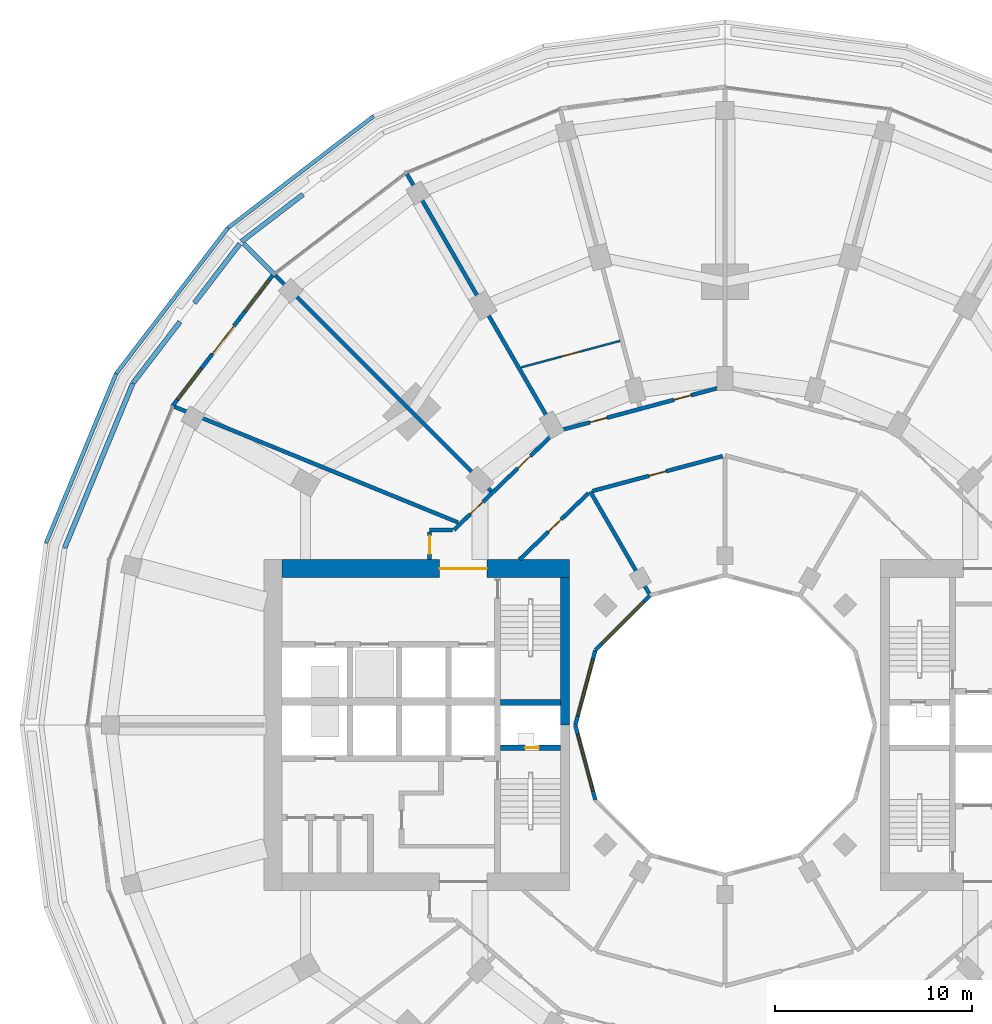
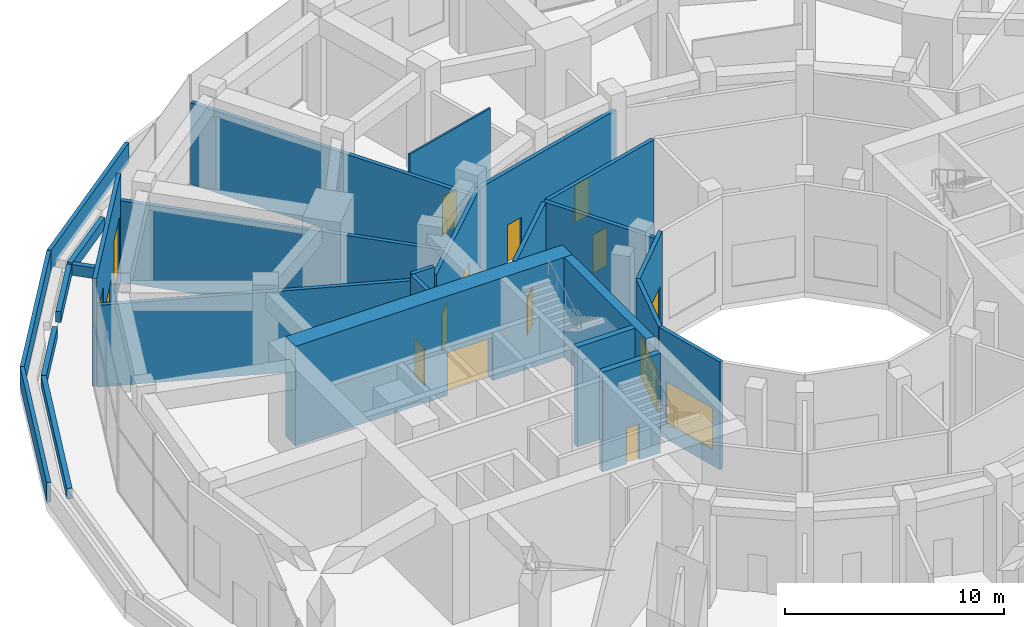
# One storey, part 18 of 23: 27 walls, 11 doors, 5 windows, 16 openings.
"""IFC4 building model written with IfcOpenShell, lengths in metres."""

from ifc_helpers import new_model, si_unit, direction, frame, frame_2d, origin, place, context, subcontext, project, spatial, rectangle, extrude, material, layer, layer_set, type_object, element, fill, save


model = new_model("IFC4")

# Units and contexts
model_context = context("Model", 3, precision=1e-05, world=origin(), true_north=direction((0.0, 1.0)))
body_context = subcontext(model_context, "Body", "Model", "MODEL_VIEW")
ifc_project = project(units=[si_unit("LENGTHUNIT", "METRE"), si_unit("AREAUNIT", "SQUARE_METRE"), si_unit("VOLUMEUNIT", "CUBIC_METRE"), si_unit("PLANEANGLEUNIT", "RADIAN"), si_unit("MASSUNIT", "GRAM", prefix="KILO")], contexts=[model_context])

# Site, building, storey
site_placement = place(None, origin())
site = spatial("IfcSite", under=ifc_project, at=site_placement, CompositionType="ELEMENT")
building_placement = place(site_placement, origin())
building = spatial("IfcBuilding", under=site, at=building_placement, Name="Torre Brocal", CompositionType="ELEMENT")
storey_placement = place(building_placement, frame((0.0, 0.0, 17.800048828125)))
storey = spatial("IfcBuildingStorey", under=building, at=storey_placement, Name="L03", CompositionType="ELEMENT", Elevation=17.800048828125)

# Wall, opening, door
ifc_material_1 = material(Name="Concrete C80", Category="concrete")
ifc_layer_1 = layer(ifc_material_1, 0.300048828125)
ifc_layer_set_1 = layer_set([ifc_layer_1], Name="Concrete C80")
wall_type_1 = type_object("IfcWallType", Name="CORE WALL 300 C80 UNDER 450 SLAB", PredefinedType="SHEAR", material=ifc_layer_set_1)
wall_1_placement = place(storey_placement, frame((71.64990234375, 73.85009765625, 0.0), z_axis=(0.0, 0.0, 1.0), x_axis=(-1.0, 0.0, 0.0)))
wall_1 = element("IfcWall", 1, at=wall_1_placement, inside=storey, type_object=wall_type_1, Name="Wall CW300-80-S450", PredefinedType="SHEAR", context=body_context, shape_type="SweptSolid", body=[
    extrude(rectangle(XDim=3.0498046875, YDim=0.300048828125, at=frame_2d((1.52490234375, 0.0))), origin(), (0.0, 0.0, 1.0), 5.550048828125),
])
opening_1_placement = place(wall_1_placement, frame((1.10009765625, 0.0, 0.0)))
opening_1 = element("IfcOpeningElement", 2, at=opening_1_placement, cuts=wall_1, Name="Opening W-D01", PredefinedType="OPENING", context=body_context, shape_type="SweptSolid", body=[
    extrude(rectangle(XDim=0.699951171875, YDim=2.0, at=frame_2d((0.35009765625, 1.0))), frame((0.0, 0.159912109375, 0.0), z_axis=(0.0, -1.0, 0.0), x_axis=(1.0, 0.0, 0.0)), (0.0, 0.0, 1.0), 0.320068359375),
])
ifc_material_2 = material(Name="Steel A653", Category="steel")
door_type_1 = type_object("IfcDoorType", Name="RISER DOOR FD120 700X2000", OperationType="SINGLE_SWING_LEFT", PredefinedType="DOOR", material=ifc_material_2)
door_1_placement = place(opening_1_placement, frame((0.699951171875, 0.0, 0.0), z_axis=(0.0, 0.0, 1.0), x_axis=(-1.0, 0.0, 0.0)))
door_1 = element("IfcDoor", 3, at=door_1_placement, inside=storey, type_object=door_type_1, Name="Door W-D01", OperationType="SINGLE_SWING_RIGHT", OverallHeight=2.0, OverallWidth=0.699951171875, PredefinedType="DOOR", context=body_context, shape_type="SweptSolid", body=[
    extrude(rectangle(XDim=0.699951171875, YDim=2.0, at=frame_2d((0.35009765625, 1.0))), frame((0.0, 0.02490234375, 0.0), z_axis=(0.0, -1.0, 0.0), x_axis=(1.0, 0.0, 0.0)), (0.0, 0.0, 1.0), 0.050048828125),
])
fill(opening_1, door_1)

# Walls
wall_2_placement = place(storey_placement, frame((71.64990234375, 76.14990234375, 0.0), z_axis=(0.0, 0.0, 1.0), x_axis=(-1.0, 0.0, 0.0)))
element("IfcWall", 4, at=wall_2_placement, inside=storey, type_object=wall_type_1, Name="Wall CW300-80-S450", PredefinedType="SHEAR", context=body_context, shape_type="SweptSolid", body=[
    extrude(rectangle(XDim=3.0498046875, YDim=0.300048828125, at=frame_2d((1.52490234375, 0.0))), origin(), (0.0, 0.0, 1.0), 5.550048828125),
])
ifc_material_3 = material(Name="Concrete C80", Category="concrete")
ifc_layer_2 = layer(ifc_material_3, 0.449951171875)
ifc_layer_set_2 = layer_set([ifc_layer_2], Name="Concrete C80")
wall_type_2 = type_object("IfcWallType", Name="CORE WALL 450 C80 UNDER 450 SLAB", PredefinedType="SHEAR", material=ifc_layer_set_2)
wall_3_placement = place(storey_placement, frame((71.875, 82.5, 0.0), z_axis=(0.0, 0.0, 1.0), x_axis=(0.0, -1.0, 0.0)))
element("IfcWall", 5, at=wall_3_placement, inside=storey, type_object=wall_type_2, Name="Wall CW450-80-S450", PredefinedType="SHEAR", context=body_context, shape_type="SweptSolid", body=[
    extrude(rectangle(XDim=7.5, YDim=0.449951171875, at=frame_2d((3.75, 0.0))), origin(), (0.0, 0.0, 1.0), 5.550048828125),
])

# Wall, opening, door
ifc_material_4 = material(Name="Concrete C80", Category="concrete")
ifc_layer_3 = layer(ifc_material_4, 0.89990234375)
ifc_layer_set_3 = layer_set([ifc_layer_3], Name="Concrete C80")
wall_type_3 = type_object("IfcWallType", Name="CORE WALL 900 C80 UNDER 450 SLAB", PredefinedType="SHEAR", material=ifc_layer_set_3)
wall_4_placement = place(storey_placement, frame((72.10009765625, 82.949951171875, 0.0), z_axis=(0.0, 0.0, 1.0), x_axis=(-1.0, 0.0, 0.0)))
wall_4 = element("IfcWall", 6, at=wall_4_placement, inside=storey, type_object=wall_type_3, Name="Wall CW900-80-S450", PredefinedType="SHEAR", context=body_context, shape_type="SweptSolid", body=[
    extrude(rectangle(XDim=14.60009765625, YDim=0.89990234375, at=frame_2d((7.300048828125, 0.0))), origin(), (0.0, 0.0, 1.0), 5.550048828125),
])
opening_2_placement = place(wall_4_placement, frame((4.199951171875, 0.0, 0.0)))
opening_2 = element("IfcOpeningElement", 7, at=opening_2_placement, cuts=wall_4, Name="Opening W-D30", PredefinedType="OPENING", context=body_context, shape_type="SweptSolid", body=[
    extrude(rectangle(XDim=2.39990234375, YDim=2.39990234375, at=frame_2d((1.199951171875, 1.199951171875))), frame((0.0, 0.4599609375, 0.0), z_axis=(0.0, -1.0, 0.0), x_axis=(1.0, 0.0, 0.0)), (0.0, 0.0, 1.0), 0.919921875),
])
ifc_material_5 = material(Name="Steel A653", Category="steel")
door_type_2 = type_object("IfcDoorType", Name="DOUBLE FIRE DOOR FD90 2400X2400", OperationType="DOUBLE_DOOR_SINGLE_SWING", PredefinedType="DOOR", material=ifc_material_5)
door_2_placement = place(opening_2_placement, origin())
door_2 = element("IfcDoor", 8, at=door_2_placement, inside=storey, type_object=door_type_2, Name="Door W-D30", OperationType="DOUBLE_DOOR_SINGLE_SWING", OverallHeight=2.39990234375, OverallWidth=2.39990234375, PredefinedType="DOOR", context=body_context, shape_type="SweptSolid", body=[
    extrude(rectangle(XDim=2.39990234375, YDim=2.39990234375, at=frame_2d((1.199951171875, 1.199951171875))), frame((0.0, 0.02490234375, 0.0), z_axis=(0.0, -1.0, 0.0), x_axis=(1.0, 0.0, 0.0)), (0.0, 0.0, 1.0), 0.050048828125),
])
fill(opening_2, door_2)

# Wall, openings, windows, door
ifc_material_6 = material(Name="Concrete C40", Category="concrete")
ifc_layer_4 = layer(ifc_material_6, 0.199951171875)
ifc_layer_set_4 = layer_set([ifc_layer_4], Name="Concrete C40")
wall_type_4 = type_object("IfcWallType", Name="EXTERNAL WALL 200", PredefinedType="NOTDEFINED", material=ifc_layer_set_4)
wall_5_placement = place(storey_placement, frame((57.09033203125, 97.90966796875, 0.0), z_axis=(0.0, 0.0, 1.0), x_axis=(-0.608761751223, -0.793353093047, 0.0)))
wall_5 = element("IfcWall", 9, at=wall_5_placement, inside=storey, type_object=wall_type_4, Name="EXTERNAL WALL", PredefinedType="NOTDEFINED", context=body_context, shape_type="SweptSolid", body=[
    extrude(rectangle(XDim=8.4580078125, YDim=0.199951171875, at=frame_2d((4.22900390625, 0.0))), origin(), (0.0, 0.0, 1.0), 6.0),
])
opening_3_placement = place(wall_5_placement, frame((0.40966796875, 0.0, 0.89990234375)))
opening_3 = element("IfcOpeningElement", 10, at=opening_3_placement, cuts=wall_5, Name="Opening W7", PredefinedType="OPENING", context=body_context, shape_type="SweptSolid", body=[
    extrude(rectangle(XDim=2.0, YDim=3.0, at=frame_2d((1.0, 1.5))), frame((0.0, 0.10986328125, 0.0), z_axis=(0.0, -1.0, 0.0), x_axis=(1.0, 0.0, 0.0)), (0.0, 0.0, 1.0), 0.219970703125),
])
opening_4_placement = place(wall_5_placement, frame((3.328857421875, 0.0, 0.0)))
opening_4 = element("IfcOpeningElement", 11, at=opening_4_placement, cuts=wall_5, Name="Opening L03-E04", PredefinedType="OPENING", context=body_context, shape_type="SweptSolid", body=[
    extrude(rectangle(XDim=1.800048828125, YDim=2.39990234375, at=frame_2d((0.89990234375, 1.199951171875))), frame((0.0, 0.10986328125, 0.0), z_axis=(0.0, -1.0, 0.0), x_axis=(1.0, 0.0, 0.0)), (0.0, 0.0, 1.0), 0.219970703125),
])
opening_5_placement = place(wall_5_placement, frame((6.04833984375, 0.0, 0.89990234375)))
opening_5 = element("IfcOpeningElement", 12, at=opening_5_placement, cuts=wall_5, Name="Opening W7", PredefinedType="OPENING", context=body_context, shape_type="SweptSolid", body=[
    extrude(rectangle(XDim=2.0, YDim=3.0, at=frame_2d((1.0, 1.5))), frame((0.0, 0.10986328125, 0.0), z_axis=(0.0, -1.0, 0.0), x_axis=(1.0, 0.0, 0.0)), (0.0, 0.0, 1.0), 0.219970703125),
])
ifc_material_7 = material(Name="Aluminium and glass", Category="aluminium")
window_type_1 = type_object("IfcWindowType", Name="PODIUM WINDOW 2000X3000", PartitioningType="SINGLE_PANEL", PredefinedType="WINDOW", material=ifc_material_7)
window_1_placement = place(opening_3_placement, origin())
window_1 = element("IfcWindow", 13, at=window_1_placement, inside=storey, type_object=window_type_1, Name="PODIUM WINDOW 2000X3000", OverallHeight=3.0, OverallWidth=2.0, PartitioningType="SINGLE_PANEL", PredefinedType="WINDOW", context=body_context, shape_type="SweptSolid", body=[
    extrude(rectangle(XDim=2.0, YDim=3.0, at=frame_2d((1.0, 1.5))), frame((0.0, 0.030029296875, 0.0), z_axis=(0.0, -1.0, 0.0), x_axis=(1.0, 0.0, 0.0)), (0.0, 0.0, 1.0), 0.06005859375),
])
fill(opening_3, window_1)
window_2_placement = place(opening_5_placement, origin())
window_2 = element("IfcWindow", 14, at=window_2_placement, inside=storey, type_object=window_type_1, Name="PODIUM WINDOW 2000X3000", OverallHeight=3.0, OverallWidth=2.0, PartitioningType="SINGLE_PANEL", PredefinedType="WINDOW", context=body_context, shape_type="SweptSolid", body=[
    extrude(rectangle(XDim=2.0, YDim=3.0, at=frame_2d((1.0, 1.5))), frame((0.0, 0.030029296875, 0.0), z_axis=(0.0, -1.0, 0.0), x_axis=(1.0, 0.0, 0.0)), (0.0, 0.0, 1.0), 0.06005859375),
])
fill(opening_5, window_2)
ifc_material_8 = material(Name="Aluminium and glass", Category="aluminium")
door_type_3 = type_object("IfcDoorType", Name="TERRACE DOUBLE DOOR 1800X2400", OperationType="DOUBLE_DOOR_SINGLE_SWING", PredefinedType="DOOR", material=ifc_material_8)
door_3_placement = place(opening_4_placement, frame((1.800048828125, 0.0, 0.0), z_axis=(0.0, 0.0, 1.0), x_axis=(-1.0, 0.0, 0.0)))
door_3 = element("IfcDoor", 15, at=door_3_placement, inside=storey, type_object=door_type_3, Name="DOOR L03-E04", OperationType="DOUBLE_DOOR_SINGLE_SWING", OverallHeight=2.39990234375, OverallWidth=1.800048828125, PredefinedType="DOOR", context=body_context, shape_type="SweptSolid", body=[
    extrude(rectangle(XDim=1.800048828125, YDim=2.39990234375, at=frame_2d((0.89990234375, 1.199951171875))), frame((0.0, 0.02490234375, 0.0), z_axis=(0.0, -1.0, 0.0), x_axis=(1.0, 0.0, 0.0)), (0.0, 0.0, 1.0), 0.050048828125),
])
fill(opening_4, door_3)

# Walls
ifc_material_9 = material(Name="Concrete C40", Category="concrete")
ifc_layer_5 = layer(ifc_material_9, 0.199951171875)
ifc_layer_set_5 = layer_set([ifc_layer_5], Name="Concrete C40")
wall_type_5 = type_object("IfcWallType", Name="PARAPET WALL 200 THICK 1100 HIGH 2", PredefinedType="PARAPET", material=ifc_layer_set_5)
for number, where, z_axis, x_axis, name in (
    (16, (45.52392578125, 84.251220703125, 0.0), (0.0, 0.0, 1.0), (0.382687470657, 0.923877859786, 0.0), "PARAPET WALL 14"),
    (17, (49.09326171875, 92.859130859375, 0.0), (0.0, 0.0, 1.0), (0.608745337968, 0.793365687122, 0.0), "PARAPET WALL 15"),
    (18, (54.7685546875, 100.25, 0.0), (0.0, 0.0, 1.0), (0.793365687122, 0.608745337968, 0.0), "PARAPET WALL 16"),
):
    element("IfcWall", number, at=place(storey_placement, frame(where, z_axis=z_axis, x_axis=x_axis)), inside=storey, type_object=wall_type_5, Name=name, PredefinedType="PARAPET", context=body_context, shape_type="SweptSolid", body=[
        extrude(rectangle(XDim=9.29248046875, YDim=0.199951171875, at=frame_2d((4.646240234375, 0.0))), origin(), (0.0, 0.0, 1.0), 1.099853515625),
    ])

# Wall, opening, door
ifc_material_10 = material(Name="Gypsum board", Category="Gypsum")
ifc_layer_6 = layer(ifc_material_10, 0.10009765625)
ifc_layer_set_6 = layer_set([ifc_layer_6], Name="Gypsum board")
wall_type_6 = type_object("IfcWallType", Name="PARTITION 100", PredefinedType="PARTITIONING", material=ifc_layer_set_6)
wall_6_placement = place(storey_placement, frame((69.63818359375, 93.159423828125, 0.0), z_axis=(0.0, 0.0, 1.0), x_axis=(0.965901179404, 0.258911011017, 0.0)))
wall_6 = element("IfcWall", 19, at=wall_6_placement, inside=storey, type_object=wall_type_6, Name="ROOM PARTITION", PredefinedType="PARTITIONING", context=body_context, shape_type="SweptSolid", body=[
    extrude(rectangle(XDim=5.208984375, YDim=0.10009765625, at=frame_2d((2.6044921875, 0.0))), origin(), (0.0, 0.0, 1.0), 5.550048828125),
])
opening_6_placement = place(wall_6_placement, frame((2.1494140625, 0.0, 0.0)))
opening_6 = element("IfcOpeningElement", 20, at=opening_6_placement, cuts=wall_6, Name="Opening PD3-D09", PredefinedType="OPENING", context=body_context, shape_type="SweptSolid", body=[
    extrude(rectangle(XDim=0.89990234375, YDim=2.10009765625, at=frame_2d((0.449951171875, 1.050048828125))), frame((0.0, 0.06005859375, 0.0), z_axis=(0.0, -1.0, 0.0), x_axis=(1.0, 0.0, 0.0)), (0.0, 0.0, 1.0), 0.1201171875),
])
ifc_material_11 = material(Name="Timber", Category="wood")
door_type_4 = type_object("IfcDoorType", Name="ROOM DOOR 900X2100", OperationType="SINGLE_SWING_LEFT", PredefinedType="DOOR", material=ifc_material_11)
door_4_placement = place(opening_6_placement, origin())
door_4 = element("IfcDoor", 21, at=door_4_placement, inside=storey, type_object=door_type_4, Name="PD3-D09", OperationType="SINGLE_SWING_RIGHT", OverallHeight=2.10009765625, OverallWidth=0.89990234375, PredefinedType="DOOR", context=body_context, shape_type="SweptSolid", body=[
    extrude(rectangle(XDim=0.89990234375, YDim=2.10009765625, at=frame_2d((0.449951171875, 1.050048828125))), frame((0.0, 0.02490234375, 0.0), z_axis=(0.0, -1.0, 0.0), x_axis=(1.0, 0.0, 0.0)), (0.0, 0.0, 1.0), 0.050048828125),
])
fill(opening_6, door_4)

ifc_material_12 = material(Name="Gypsum board", Category="Gypsum")
ifc_layer_7 = layer(ifc_material_12, 0.199951171875)
ifc_layer_set_7 = layer_set([ifc_layer_7], Name="Gypsum board")
wall_type_7 = type_object("IfcWallType", Name="PARTITION 200 EI60", PredefinedType="PARTITIONING", material=ifc_layer_set_7)
wall_7_placement = place(storey_placement, frame((65.0, 83.40087890625, 0.0), z_axis=(0.0, 0.0, 1.0), x_axis=(0.0, 1.0, 0.0)))
wall_7 = element("IfcWall", 22, at=wall_7_placement, inside=storey, type_object=wall_type_7, Name="PLANT ROOM WALL", PredefinedType="PARTITIONING", context=body_context, shape_type="SweptSolid", body=[
    extrude(rectangle(XDim=1.399169921875, YDim=0.199951171875, at=frame_2d((0.69970703125, 0.0))), origin(), (0.0, 0.0, 1.0), 5.550048828125),
])
opening_7_placement = place(wall_7_placement, frame((0.299072265625, 0.0, 0.0)))
opening_7 = element("IfcOpeningElement", 23, at=opening_7_placement, cuts=wall_7, Name="Opening PD3-D12", PredefinedType="OPENING", context=body_context, shape_type="SweptSolid", body=[
    extrude(rectangle(XDim=0.89990234375, YDim=2.10009765625, at=frame_2d((0.449951171875, 1.050048828125))), frame((0.0, 0.10986328125, 0.0), z_axis=(0.0, -1.0, 0.0), x_axis=(1.0, 0.0, 0.0)), (0.0, 0.0, 1.0), 0.219970703125),
])
door_5_placement = place(opening_7_placement, origin())
door_5 = element("IfcDoor", 24, at=door_5_placement, inside=storey, type_object=door_type_4, Name="PD3-D12", OperationType="SINGLE_SWING_LEFT", OverallHeight=2.10009765625, OverallWidth=0.89990234375, PredefinedType="DOOR", context=body_context, shape_type="SweptSolid", body=[
    extrude(rectangle(XDim=0.89990234375, YDim=2.10009765625, at=frame_2d((0.449951171875, 1.050048828125))), frame((0.0, 0.02490234375, 0.0), z_axis=(0.0, -1.0, 0.0), x_axis=(1.0, 0.0, 0.0)), (0.0, 0.0, 1.0), 0.050048828125),
])
fill(opening_7, door_5)

# Wall
wall_8_placement = place(storey_placement, frame((65.0, 84.89990234375, 0.0), z_axis=(0.0, 0.0, 1.0), x_axis=(1.0, 0.0, 0.0)))
element("IfcWall", 25, at=wall_8_placement, inside=storey, type_object=wall_type_7, Name="PLANT ROOM WALL", PredefinedType="PARTITIONING", context=body_context, shape_type="SweptSolid", body=[
    extrude(rectangle(XDim=1.159912109375, YDim=0.199951171875, at=frame_2d((0.580078125, 0.0))), origin(), (0.0, 0.0, 1.0), 5.550048828125),
])

# Wall, opening, door
wall_9_placement = place(storey_placement, frame((69.56298828125, 83.39990234375, 0.0), z_axis=(0.0, 0.0, 1.0), x_axis=(0.719454254864, 0.694539829785, 0.0)))
wall_9 = element("IfcWall", 26, at=wall_9_placement, inside=storey, type_object=wall_type_7, Name="CORRIDOR WALL", PredefinedType="PARTITIONING", context=body_context, shape_type="SweptSolid", body=[
    extrude(rectangle(XDim=4.8603515625, YDim=0.199951171875, at=frame_2d((2.43017578125, 0.0))), origin(), (0.0, 0.0, 1.0), 5.550048828125),
])
opening_8_placement = place(wall_9_placement, frame((2.03515625, 0.0, 0.0)))
opening_8 = element("IfcOpeningElement", 27, at=opening_8_placement, cuts=wall_9, Name="Opening PD3-D16", PredefinedType="OPENING", context=body_context, shape_type="SweptSolid", body=[
    extrude(rectangle(XDim=0.89990234375, YDim=2.10009765625, at=frame_2d((0.449951171875, 1.050048828125))), frame((0.0, 0.10986328125, 0.0), z_axis=(0.0, -1.0, 0.0), x_axis=(1.0, 0.0, 0.0)), (0.0, 0.0, 1.0), 0.219970703125),
])
door_6_placement = place(opening_8_placement, frame((0.89990234375, 0.0, 0.0), z_axis=(0.0, 0.0, 1.0), x_axis=(-1.0, 0.0, 0.0)))
door_6 = element("IfcDoor", 28, at=door_6_placement, inside=storey, type_object=door_type_4, Name="PD3-D16", OperationType="SINGLE_SWING_RIGHT", OverallHeight=2.10009765625, OverallWidth=0.89990234375, PredefinedType="DOOR", context=body_context, shape_type="SweptSolid", body=[
    extrude(rectangle(XDim=0.89990234375, YDim=2.10009765625, at=frame_2d((0.449951171875, 1.050048828125))), frame((0.0, 0.02490234375, 0.0), z_axis=(0.0, -1.0, 0.0), x_axis=(1.0, 0.0, 0.0)), (0.0, 0.0, 1.0), 0.050048828125),
])
fill(opening_8, door_6)

wall_10_placement = place(storey_placement, frame((73.2744140625, 86.88818359375, 0.0), z_axis=(0.0, 0.0, 1.0), x_axis=(0.965941353683, 0.258761089124, 0.0)))
wall_10 = element("IfcWall", 29, at=wall_10_placement, inside=storey, type_object=wall_type_7, Name="CORRIDOR WALL", PredefinedType="PARTITIONING", context=body_context, shape_type="SweptSolid", body=[
    extrude(rectangle(XDim=6.832763671875, YDim=0.199951171875, at=frame_2d((3.41650390625, 0.0))), origin(), (0.0, 0.0, 1.0), 5.550048828125),
])
opening_9_placement = place(wall_10_placement, frame((2.96142578125, 0.0, 0.0)))
opening_9 = element("IfcOpeningElement", 30, at=opening_9_placement, cuts=wall_10, Name="Opening PD3-D15", PredefinedType="OPENING", context=body_context, shape_type="SweptSolid", body=[
    extrude(rectangle(XDim=0.89990234375, YDim=2.10009765625, at=frame_2d((0.449951171875, 1.050048828125))), frame((0.0, 0.10986328125, 0.0), z_axis=(0.0, -1.0, 0.0), x_axis=(1.0, 0.0, 0.0)), (0.0, 0.0, 1.0), 0.219970703125),
])
door_7_placement = place(opening_9_placement, frame((0.89990234375, 0.0, 0.0), z_axis=(0.0, 0.0, 1.0), x_axis=(-1.0, 0.0, 0.0)))
door_7 = element("IfcDoor", 31, at=door_7_placement, inside=storey, type_object=door_type_4, Name="PD3-D15", OperationType="SINGLE_SWING_RIGHT", OverallHeight=2.10009765625, OverallWidth=0.89990234375, PredefinedType="DOOR", context=body_context, shape_type="SweptSolid", body=[
    extrude(rectangle(XDim=0.89990234375, YDim=2.10009765625, at=frame_2d((0.449951171875, 1.050048828125))), frame((0.0, 0.02490234375, 0.0), z_axis=(0.0, -1.0, 0.0), x_axis=(1.0, 0.0, 0.0)), (0.0, 0.0, 1.0), 0.050048828125),
])
fill(opening_9, door_7)

# Walls
wall_11_placement = place(storey_placement, frame((73.15478515625, 86.85595703125, 0.0), z_axis=(0.0, 0.0, 1.0), x_axis=(0.499982276674, -0.86603563611, 0.0)))
element("IfcWall", 32, at=wall_11_placement, inside=storey, type_object=wall_type_7, Name="SERVICE ROOM WALL", PredefinedType="PARTITIONING", context=body_context, shape_type="SweptSolid", body=[
    extrude(rectangle(XDim=5.991943359375, YDim=0.199951171875, at=frame_2d((2.99609375, 0.0))), origin(), (0.0, 0.0, 1.0), 5.550048828125),
])
ifc_material_13 = material(Name="Gypsum board", Category="Gypsum")
ifc_layer_8 = layer(ifc_material_13, 0.199951171875)
ifc_layer_set_8 = layer_set([ifc_layer_8], Name="Gypsum board")
wall_type_8 = type_object("IfcWallType", Name="PARTITION 200 EI60 UNDER BEAM 1450", PredefinedType="PARTITIONING", material=ifc_layer_set_8)
wall_12_placement = place(storey_placement, frame((52.042724609375, 91.163818359375, 0.0), z_axis=(0.0, 0.0, 1.0), x_axis=(0.925899689018, -0.377769461281, 0.0)))
element("IfcWall", 33, at=wall_12_placement, inside=storey, type_object=wall_type_8, Name="PLANT ROOM WALL", PredefinedType="PARTITIONING", context=body_context, shape_type="SweptSolid", body=[
    extrude(rectangle(XDim=15.538818359375, YDim=0.199951171875, at=frame_2d((7.76953125, 0.0))), origin(), (0.0, 0.0, 1.0), 4.550048828125),
])
wall_13_placement = place(storey_placement, frame((57.16162109375, 97.83837890625, 0.0), z_axis=(0.0, 0.0, 1.0), x_axis=(0.707106781187, -0.707106781187, 0.0)))
element("IfcWall", 34, at=wall_13_placement, inside=storey, type_object=wall_type_8, Name="PARTY PARTITION", PredefinedType="PARTITIONING", context=body_context, shape_type="SweptSolid", body=[
    extrude(rectangle(XDim=15.493408203125, YDim=0.199951171875, at=frame_2d((7.74658203125, 0.0))), origin(), (0.0, 0.0, 1.0), 4.550048828125),
])
wall_14_placement = place(storey_placement, frame((63.851806640625, 102.970703125, 0.0), z_axis=(0.0, 0.0, 1.0), x_axis=(0.499961566219, -0.866047592401, 0.0)))
element("IfcWall", 35, at=wall_14_placement, inside=storey, type_object=wall_type_8, Name="PARTY PARTITION", PredefinedType="PARTITIONING", context=body_context, shape_type="SweptSolid", body=[
    extrude(rectangle(XDim=14.995849609375, YDim=0.199951171875, at=frame_2d((7.498046875, 0.0))), origin(), (0.0, 0.0, 1.0), 4.550048828125),
])

# Wall, openings, doors
ifc_material_14 = material(Name="Gypsum board", Category="Gypsum")
ifc_layer_9 = layer(ifc_material_14, 0.199951171875)
ifc_layer_set_9 = layer_set([ifc_layer_9], Name="Gypsum board")
wall_type_9 = type_object("IfcWallType", Name="PARTITION 200 EI60 UNDER BEAM 950", PredefinedType="PARTITIONING", material=ifc_layer_set_9)
wall_15_placement = place(storey_placement, frame((66.22021484375, 84.89990234375, 0.0), z_axis=(0.0, 0.0, 1.0), x_axis=(0.719604938078, 0.694383707394, 0.0)))
wall_15 = element("IfcWall", 36, at=wall_15_placement, inside=storey, type_object=wall_type_9, Name="PLANT ROOM WALL", PredefinedType="PARTITIONING", context=body_context, shape_type="SweptSolid", body=[
    extrude(rectangle(XDim=7.1728515625, YDim=0.199951171875, at=frame_2d((3.58642578125, 0.0))), origin(), (0.0, 0.0, 1.0), 5.050048828125),
])
opening_10_placement = place(wall_15_placement, frame((4.5185546875, 0.0, 0.0)))
opening_10 = element("IfcOpeningElement", 37, at=opening_10_placement, cuts=wall_15, Name="Opening PD3-D10", PredefinedType="OPENING", context=body_context, shape_type="SweptSolid", body=[
    extrude(rectangle(XDim=0.89990234375, YDim=2.10009765625, at=frame_2d((0.449951171875, 1.050048828125))), frame((0.0, 0.10986328125, 0.0), z_axis=(0.0, -1.0, 0.0), x_axis=(1.0, 0.0, 0.0)), (0.0, 0.0, 1.0), 0.219970703125),
])
opening_11_placement = place(wall_15_placement, frame((1.1630859375, 0.0, 0.0)))
opening_11 = element("IfcOpeningElement", 38, at=opening_11_placement, cuts=wall_15, Name="Opening PD3-D11", PredefinedType="OPENING", context=body_context, shape_type="SweptSolid", body=[
    extrude(rectangle(XDim=0.89990234375, YDim=2.10009765625, at=frame_2d((0.449951171875, 1.050048828125))), frame((0.0, 0.10986328125, 0.0), z_axis=(0.0, -1.0, 0.0), x_axis=(1.0, 0.0, 0.0)), (0.0, 0.0, 1.0), 0.219970703125),
])
door_8_placement = place(opening_10_placement, origin())
door_8 = element("IfcDoor", 39, at=door_8_placement, inside=storey, type_object=door_type_4, Name="PD3-D10", OperationType="SINGLE_SWING_LEFT", OverallHeight=2.10009765625, OverallWidth=0.89990234375, PredefinedType="DOOR", context=body_context, shape_type="SweptSolid", body=[
    extrude(rectangle(XDim=0.89990234375, YDim=2.10009765625, at=frame_2d((0.449951171875, 1.050048828125))), frame((0.0, 0.02490234375, 0.0), z_axis=(0.0, -1.0, 0.0), x_axis=(1.0, 0.0, 0.0)), (0.0, 0.0, 1.0), 0.050048828125),
])
fill(opening_10, door_8)
door_9_placement = place(opening_11_placement, origin())
door_9 = element("IfcDoor", 40, at=door_9_placement, inside=storey, type_object=door_type_4, Name="PD3-D11", OperationType="SINGLE_SWING_RIGHT", OverallHeight=2.10009765625, OverallWidth=0.89990234375, PredefinedType="DOOR", context=body_context, shape_type="SweptSolid", body=[
    extrude(rectangle(XDim=0.89990234375, YDim=2.10009765625, at=frame_2d((0.449951171875, 1.050048828125))), frame((0.0, 0.02490234375, 0.0), z_axis=(0.0, -1.0, 0.0), x_axis=(1.0, 0.0, 0.0)), (0.0, 0.0, 1.0), 0.050048828125),
])
fill(opening_11, door_9)

wall_16_placement = place(storey_placement, frame((71.410888671875, 89.907958984375, 0.0), z_axis=(0.0, 0.0, 1.0), x_axis=(0.965907314361, 0.258888122678, 0.0)))
wall_16 = element("IfcWall", 41, at=wall_16_placement, inside=storey, type_object=wall_type_9, Name="CORRIDOR WALL", PredefinedType="PARTITIONING", context=body_context, shape_type="SweptSolid", body=[
    extrude(rectangle(XDim=8.80224609375, YDim=0.199951171875, at=frame_2d((4.401123046875, 0.0))), origin(), (0.0, 0.0, 1.0), 5.050048828125),
])
opening_12_placement = place(wall_16_placement, frame((6.205322265625, 0.0, 0.0)))
opening_12 = element("IfcOpeningElement", 42, at=opening_12_placement, cuts=wall_16, Name="Opening PD3-D07", PredefinedType="OPENING", context=body_context, shape_type="SweptSolid", body=[
    extrude(rectangle(XDim=0.89990234375, YDim=2.10009765625, at=frame_2d((0.449951171875, 1.050048828125))), frame((0.0, 0.10986328125, 0.0), z_axis=(0.0, -1.0, 0.0), x_axis=(1.0, 0.0, 0.0)), (0.0, 0.0, 1.0), 0.219970703125),
])
opening_13_placement = place(wall_16_placement, frame((1.779052734375, 0.0, 0.0)))
opening_13 = element("IfcOpeningElement", 43, at=opening_13_placement, cuts=wall_16, Name="Opening PD3-D08", PredefinedType="OPENING", context=body_context, shape_type="SweptSolid", body=[
    extrude(rectangle(XDim=0.89990234375, YDim=2.10009765625, at=frame_2d((0.449951171875, 1.050048828125))), frame((0.0, 0.10986328125, 0.0), z_axis=(0.0, -1.0, 0.0), x_axis=(1.0, 0.0, 0.0)), (0.0, 0.0, 1.0), 0.219970703125),
])
door_10_placement = place(opening_12_placement, origin())
door_10 = element("IfcDoor", 44, at=door_10_placement, inside=storey, type_object=door_type_4, Name="PD3-D07", OperationType="SINGLE_SWING_LEFT", OverallHeight=2.10009765625, OverallWidth=0.89990234375, PredefinedType="DOOR", context=body_context, shape_type="SweptSolid", body=[
    extrude(rectangle(XDim=0.89990234375, YDim=2.10009765625, at=frame_2d((0.449951171875, 1.050048828125))), frame((0.0, 0.02490234375, 0.0), z_axis=(0.0, -1.0, 0.0), x_axis=(1.0, 0.0, 0.0)), (0.0, 0.0, 1.0), 0.050048828125),
])
fill(opening_12, door_10)
door_11_placement = place(opening_13_placement, origin())
door_11 = element("IfcDoor", 45, at=door_11_placement, inside=storey, type_object=door_type_4, Name="PD3-D08", OperationType="SINGLE_SWING_RIGHT", OverallHeight=2.10009765625, OverallWidth=0.89990234375, PredefinedType="DOOR", context=body_context, shape_type="SweptSolid", body=[
    extrude(rectangle(XDim=0.89990234375, YDim=2.10009765625, at=frame_2d((0.449951171875, 1.050048828125))), frame((0.0, 0.02490234375, 0.0), z_axis=(0.0, -1.0, 0.0), x_axis=(1.0, 0.0, 0.0)), (0.0, 0.0, 1.0), 0.050048828125),
])
fill(opening_13, door_11)

# Walls
ifc_material_15 = material(Name="Concrete C35", Category="concrete")
ifc_layer_10 = layer(ifc_material_15, 0.25)
ifc_layer_set_10 = layer_set([ifc_layer_10], Name="Concrete C35")
wall_type_10 = type_object("IfcWallType", Name="PLANTER WALL 250 THICK 600 HIGH 2", PredefinedType="USERDEFINED", material=ifc_layer_set_10)
wall_17_placement = place(storey_placement, frame((55.449951171875, 99.550048828125, 0.0), z_axis=(0.0, 0.0, 1.0), x_axis=(0.793357446452, 0.608756077719, 0.0)))
element("IfcWall", 46, at=wall_17_placement, inside=storey, type_object=wall_type_10, Name="PLANTER", ObjectType="PLANTER", PredefinedType="USERDEFINED", context=body_context, shape_type="SweptSolid", body=[
    extrude(rectangle(XDim=3.931884765625, YDim=0.25, at=frame_2d((1.9658203125, 0.0))), origin(), (0.0, 0.0, 1.0), 0.599853515625),
])
wall_18_placement = place(storey_placement, frame((46.47021484375, 84.001220703125, 0.0), z_axis=(0.0, 0.0, 1.0), x_axis=(0.38270835262, 0.92386920981, 0.0)))
element("IfcWall", 47, at=wall_18_placement, inside=storey, type_object=wall_type_10, Name="PLANTER", ObjectType="PLANTER", PredefinedType="USERDEFINED", context=body_context, shape_type="SweptSolid", body=[
    extrude(rectangle(XDim=9.030517578125, YDim=0.25, at=frame_2d((4.51513671875, 0.0))), origin(), (0.0, 0.0, 1.0), 0.599853515625),
])
wall_19_placement = place(storey_placement, frame((49.9423828125, 92.37255859375, 0.0), z_axis=(0.0, 0.0, 1.0), x_axis=(0.608773153249, 0.793344343828, 0.0)))
element("IfcWall", 48, at=wall_19_placement, inside=storey, type_object=wall_type_10, Name="PLANTER", ObjectType="PLANTER", PredefinedType="USERDEFINED", context=body_context, shape_type="SweptSolid", body=[
    extrude(rectangle(XDim=3.915283203125, YDim=0.25, at=frame_2d((1.95751953125, 0.0))), origin(), (0.0, 0.0, 1.0), 0.599853515625),
])
wall_20_placement = place(storey_placement, frame((53.056396484375, 96.4306640625, 0.0), z_axis=(0.0, 0.0, 1.0), x_axis=(0.6087669224, 0.793349125033, 0.0)))
element("IfcWall", 49, at=wall_20_placement, inside=storey, type_object=wall_type_10, Name="PLANTER", ObjectType="PLANTER", PredefinedType="USERDEFINED", context=body_context, shape_type="SweptSolid", body=[
    extrude(rectangle(XDim=3.78955078125, YDim=0.25, at=frame_2d((1.894775390625, 0.0))), origin(), (0.0, 0.0, 1.0), 0.599853515625),
])
wall_21_placement = place(storey_placement, frame((55.55078125, 99.44921875, 0.0), z_axis=(0.0, 0.0, 1.0), x_axis=(0.707106781187, -0.707106781187, 0.0)))
element("IfcWall", 50, at=wall_21_placement, inside=storey, type_object=wall_type_10, Name="PLANTER", ObjectType="PLANTER", PredefinedType="USERDEFINED", context=body_context, shape_type="SweptSolid", body=[
    extrude(rectangle(XDim=2.278076171875, YDim=0.25, at=frame_2d((1.13916015625, 0.0))), origin(), (0.0, 0.0, 1.0), 0.599853515625),
])

# Wall, opening, window
ifc_material_16 = material(Name="Concrete C40", Category="concrete")
ifc_layer_11 = layer(ifc_material_16, 0.199951171875)
ifc_layer_set_11 = layer_set([ifc_layer_11], Name="Concrete C40")
wall_type_11 = type_object("IfcWallType", Name="WELL FACADE WALL 200", PredefinedType="NOTDEFINED", material=ifc_layer_set_11)
wall_22_placement = place(storey_placement, frame((76.1982421875, 81.5849609375, 0.0), z_axis=(0.0, 0.0, 1.0), x_axis=(-0.707106781187, -0.707106781187, 0.0)))
wall_22 = element("IfcWall", 51, at=wall_22_placement, inside=storey, type_object=wall_type_11, Name="WELL FACADE WALL", PredefinedType="NOTDEFINED", context=body_context, shape_type="SweptSolid", body=[
    extrude(rectangle(XDim=3.93603515625, YDim=0.199951171875, at=frame_2d((1.968017578125, 0.0))), origin(), (0.0, 0.0, 1.0), 6.0),
])
opening_14_placement = place(wall_22_placement, frame((0.468017578125, 0.0, 0.89990234375)))
opening_14 = element("IfcOpeningElement", 52, at=opening_14_placement, cuts=wall_22, Name="Opening W1", PredefinedType="OPENING", context=body_context, shape_type="SweptSolid", body=[
    extrude(rectangle(XDim=3.0, YDim=2.300048828125, at=frame_2d((1.5, 1.14990234375))), frame((0.0, 0.10986328125, 0.0), z_axis=(0.0, -1.0, 0.0), x_axis=(1.0, 0.0, 0.0)), (0.0, 0.0, 1.0), 0.219970703125),
])
ifc_material_17 = material(Name="Aluminium and glass", Category="aluminium")
window_type_2 = type_object("IfcWindowType", Name="WELL WINDOW 3000X2300", PartitioningType="SINGLE_PANEL", PredefinedType="WINDOW", material=ifc_material_17)
window_3_placement = place(opening_14_placement, origin())
window_3 = element("IfcWindow", 53, at=window_3_placement, inside=storey, type_object=window_type_2, Name="WELL WINDOW 3000X2300", OverallHeight=2.300048828125, OverallWidth=3.0, PartitioningType="SINGLE_PANEL", PredefinedType="WINDOW", context=body_context, shape_type="SweptSolid", body=[
    extrude(rectangle(XDim=3.0, YDim=2.300048828125, at=frame_2d((1.5, 1.14990234375))), frame((0.0, 0.030029296875, 0.0), z_axis=(0.0, -1.0, 0.0), x_axis=(1.0, 0.0, 0.0)), (0.0, 0.0, 1.0), 0.06005859375),
])
fill(opening_14, window_3)

wall_23_placement = place(storey_placement, frame((73.4150390625, 78.8017578125, 0.0), z_axis=(0.0, 0.0, 1.0), x_axis=(-0.258789828301, -0.965933654434, 0.0)))
wall_23 = element("IfcWall", 54, at=wall_23_placement, inside=storey, type_object=wall_type_11, Name="WELL FACADE WALL", PredefinedType="NOTDEFINED", context=body_context, shape_type="SweptSolid", body=[
    extrude(rectangle(XDim=3.935791015625, YDim=0.199951171875, at=frame_2d((1.9677734375, 0.0))), origin(), (0.0, 0.0, 1.0), 6.0),
])
opening_15_placement = place(wall_23_placement, frame((0.468017578125, 0.0, 0.89990234375)))
opening_15 = element("IfcOpeningElement", 55, at=opening_15_placement, cuts=wall_23, Name="Opening W1", PredefinedType="OPENING", context=body_context, shape_type="SweptSolid", body=[
    extrude(rectangle(XDim=3.0, YDim=2.300048828125, at=frame_2d((1.5, 1.14990234375))), frame((0.0, 0.10986328125, 0.0), z_axis=(0.0, -1.0, 0.0), x_axis=(1.0, 0.0, 0.0)), (0.0, 0.0, 1.0), 0.219970703125),
])
window_4_placement = place(opening_15_placement, origin())
window_4 = element("IfcWindow", 56, at=window_4_placement, inside=storey, type_object=window_type_2, Name="WELL WINDOW 3000X2300", OverallHeight=2.300048828125, OverallWidth=3.0, PartitioningType="SINGLE_PANEL", PredefinedType="WINDOW", context=body_context, shape_type="SweptSolid", body=[
    extrude(rectangle(XDim=3.0, YDim=2.300048828125, at=frame_2d((1.5, 1.14990234375))), frame((0.0, 0.030029296875, 0.0), z_axis=(0.0, -1.0, 0.0), x_axis=(1.0, 0.0, 0.0)), (0.0, 0.0, 1.0), 0.06005859375),
])
fill(opening_15, window_4)

wall_24_placement = place(storey_placement, frame((72.396484375, 75.0, 0.0), z_axis=(0.0, 0.0, 1.0), x_axis=(0.258789828301, -0.965933654434, 0.0)))
wall_24 = element("IfcWall", 57, at=wall_24_placement, inside=storey, type_object=wall_type_11, Name="WELL FACADE WALL", PredefinedType="NOTDEFINED", context=body_context, shape_type="SweptSolid", body=[
    extrude(rectangle(XDim=3.935791015625, YDim=0.199951171875, at=frame_2d((1.9677734375, 0.0))), origin(), (0.0, 0.0, 1.0), 6.0),
])
opening_16_placement = place(wall_24_placement, frame((0.468017578125, 0.0, 0.89990234375)))
opening_16 = element("IfcOpeningElement", 58, at=opening_16_placement, cuts=wall_24, Name="Opening W1", PredefinedType="OPENING", context=body_context, shape_type="SweptSolid", body=[
    extrude(rectangle(XDim=3.0, YDim=2.300048828125, at=frame_2d((1.5, 1.14990234375))), frame((0.0, 0.10986328125, 0.0), z_axis=(0.0, -1.0, 0.0), x_axis=(1.0, 0.0, 0.0)), (0.0, 0.0, 1.0), 0.219970703125),
])
window_5_placement = place(opening_16_placement, origin())
window_5 = element("IfcWindow", 59, at=window_5_placement, inside=storey, type_object=window_type_2, Name="WELL WINDOW 3000X2300", OverallHeight=2.300048828125, OverallWidth=3.0, PartitioningType="SINGLE_PANEL", PredefinedType="WINDOW", context=body_context, shape_type="SweptSolid", body=[
    extrude(rectangle(XDim=3.0, YDim=2.300048828125, at=frame_2d((1.5, 1.14990234375))), frame((0.0, 0.030029296875, 0.0), z_axis=(0.0, -1.0, 0.0), x_axis=(1.0, 0.0, 0.0)), (0.0, 0.0, 1.0), 0.06005859375),
])
fill(opening_16, window_5)

save(model, "model.ifc")
